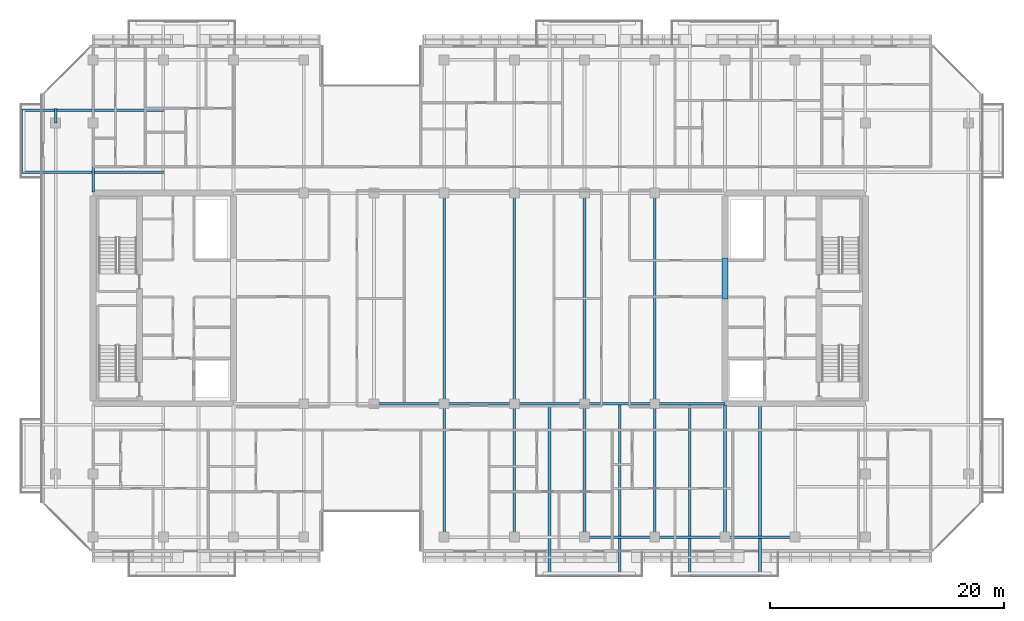
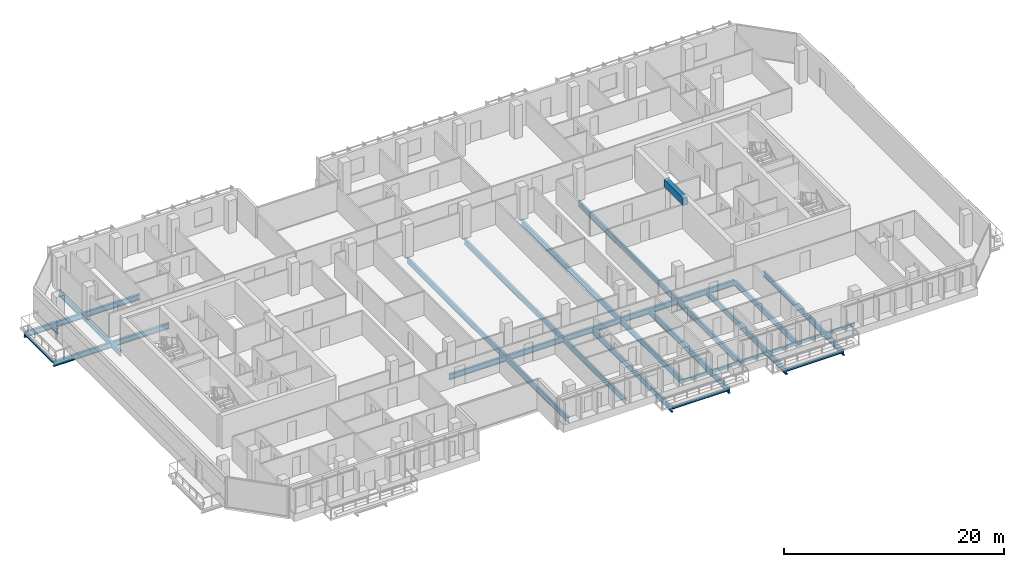
# One storey, part 7 of 30: 29 beams.
"""IFC4 building model written with IfcOpenShell, lengths in metres."""

from ifc_helpers import new_model, si_unit, direction, frame, origin, origin_2d, place, context, subcontext, project, spatial, rectangle, hollow_rectangle, i_section, extrude, material, material_profile, profile_set, type_object, element, save


model = new_model("IFC4")

# Units and contexts
model_context = context("Model", 3, precision=1e-05, world=origin(), true_north=direction((0.0, 1.0)))
body_context = subcontext(model_context, "Body", "Model", "MODEL_VIEW")
ifc_project = project(units=[si_unit("LENGTHUNIT", "METRE"), si_unit("AREAUNIT", "SQUARE_METRE"), si_unit("VOLUMEUNIT", "CUBIC_METRE"), si_unit("PLANEANGLEUNIT", "RADIAN"), si_unit("MASSUNIT", "GRAM", prefix="KILO")], contexts=[model_context])

# Site, building, storey
site_placement = place(None, origin())
site = spatial("IfcSite", under=ifc_project, at=site_placement, CompositionType="ELEMENT")
building_placement = place(site_placement, origin())
building = spatial("IfcBuilding", under=site, at=building_placement, Name="Tanjung Sevakor Pilgrim Tower", CompositionType="ELEMENT")
storey_placement = place(building_placement, frame((0.0, 0.0, 165.659912109375)))
storey = spatial("IfcBuildingStorey", under=building, at=storey_placement, Name="L46", CompositionType="ELEMENT", Elevation=165.659912109375)

# Beams
ifc_material_1 = material(Name="Steel S355J2", Category="steel")
ifc_material_profile_1 = material_profile(ifc_material_1, i_section(OverallWidth=0.230224609375, OverallDepth=0.6171875, WebThickness=0.01318359375, FlangeThickness=0.022216796875, FilletRadius=0.0126953125, at=origin_2d()))
ifc_profile_set_1 = profile_set([ifc_material_profile_1], Name="Steel S355J2")
beam_type_1 = type_object("IfcBeamType", Name="BM-B-G3-UB_610x229x140", PredefinedType="BEAM", material=ifc_profile_set_1)
for number, where, z_axis, x_axis, name in (
    (1, (48.0, 24.60009765625, -0.528564453125), (1.0, 0.0, 0.0), (0.0, 1.0, 0.0), "L46 Primary Floor Girder MAIN Y246-03"),
    (2, (54.0, 24.60009765625, -0.528564453125), (1.0, 0.0, 0.0), (0.0, 1.0, 0.0), "L46 Primary Floor Girder MAIN Y246-04"),
    (3, (60.0, 24.60009765625, -0.528564453125), (1.0, 0.0, 0.0), (0.0, 1.0, 0.0), "L46 Primary Floor Girder MAIN Y246-05"),
    (4, (66.0, 24.60009765625, -0.528564453125), (1.0, 0.0, 0.0), (0.0, 1.0, 0.0), "L46 Primary Floor Girder MAIN Y246-06"),
    (5, (72.0, 24.60009765625, -0.528564453125), (1.0, 0.0, 0.0), (0.0, 1.0, 0.0), "L46 Primary Floor Girder MAIN Y246-07"),
):
    element("IfcBeam", number, at=place(storey_placement, frame(where, z_axis=z_axis, x_axis=x_axis)), inside=storey, type_object=beam_type_1, Name=name, PredefinedType="BEAM", context=body_context, shape_type="SweptSolid", body=[
        extrude(i_section(OverallWidth=0.230224609375, OverallDepth=0.6171875, WebThickness=0.01318359375, FlangeThickness=0.022216796875, FilletRadius=0.0126953125, at=origin_2d()), origin(), (0.0, 0.0, 1.0), 6.0),
    ])
ifc_material_2 = material(Name="Steel S355J2", Category="steel")
ifc_material_profile_2 = material_profile(ifc_material_2, i_section(OverallWidth=0.22900390625, OverallDepth=0.6123046875, WebThickness=0.011962890625, FlangeThickness=0.01953125, FilletRadius=0.0126953125, at=origin_2d()))
ifc_profile_set_2 = profile_set([ifc_material_profile_2], Name="Steel S355J2")
beam_type_2 = type_object("IfcBeamType", Name="BM-B-G4-UB_610x229x125", PredefinedType="BEAM", material=ifc_profile_set_2)
beam_1_placement = place(storey_placement, frame((20.800048828125, 48.60009765625, -0.526123046875), z_axis=(0.0, 1.0, 0.0), x_axis=(-1.0, 0.0, 0.0)))
element("IfcBeam", 6, at=beam_1_placement, inside=storey, type_object=beam_type_2, Name="L46 Short-End Edge Extension N-W", PredefinedType="BEAM", context=body_context, shape_type="SweptSolid", body=[
    extrude(i_section(OverallWidth=0.22900390625, OverallDepth=0.6123046875, WebThickness=0.011962890625, FlangeThickness=0.01953125, FilletRadius=0.0126953125, at=origin_2d()), origin(), (0.0, 0.0, 1.0), 1.25),
])
for number, where, z_axis, x_axis, name in (
    (7, (30.0, 44.39990234375, -0.526123046875), (-1.0, 0.0, 0.0), (0.0, -1.0, 0.0), "L46 Balcony Overhanging Beam MAIN-W2-1"),
    (8, (30.0, 49.699951171875, -0.526123046875), (-1.0, 0.0, 0.0), (0.0, -1.0, 0.0), "L46 Balcony Overhanging Beam MAIN-W2-2"),
):
    element("IfcBeam", number, at=place(storey_placement, frame(where, z_axis=z_axis, x_axis=x_axis)), inside=storey, type_object=beam_type_2, Name=name, PredefinedType="BEAM", context=body_context, shape_type="SweptSolid", body=[
        extrude(i_section(OverallWidth=0.22900390625, OverallDepth=0.6123046875, WebThickness=0.011962890625, FlangeThickness=0.01953125, FilletRadius=0.0126953125, at=origin_2d()), origin(), (0.0, 0.0, 1.0), 12.1298828125),
    ])
beam_2_placement = place(storey_placement, frame((24.0, 42.715087890625, -0.526123046875), z_axis=(0.0, 1.0, 0.0), x_axis=(-1.0, 0.0, 0.0)))
element("IfcBeam", 9, at=beam_2_placement, inside=storey, type_object=beam_type_2, Name="L46 MAIN Girder 002", PredefinedType="BEAM", context=body_context, shape_type="SweptSolid", body=[
    extrude(i_section(OverallWidth=0.22900390625, OverallDepth=0.6123046875, WebThickness=0.011962890625, FlangeThickness=0.01953125, FilletRadius=0.0126953125, at=origin_2d()), origin(), (0.0, 0.0, 1.0), 11.284912109375),
])
beam_3_placement = place(storey_placement, frame((54.0, 13.199951171875, -0.526123046875), z_axis=(0.0, 1.0, 0.0), x_axis=(-1.0, 0.0, 0.0)))
element("IfcBeam", 10, at=beam_3_placement, inside=storey, type_object=beam_type_2, Name="L46 MAIN Girder 009", PredefinedType="BEAM", context=body_context, shape_type="SweptSolid", body=[
    extrude(i_section(OverallWidth=0.22900390625, OverallDepth=0.6123046875, WebThickness=0.011962890625, FlangeThickness=0.01953125, FilletRadius=0.0126953125, at=origin_2d()), origin(), (0.0, 0.0, 1.0), 11.400146484375),
])
beam_4_placement = place(storey_placement, frame((54.0, 24.60009765625, -0.526123046875), z_axis=(0.0, 1.0, 0.0), x_axis=(-1.0, 0.0, 0.0)))
element("IfcBeam", 11, at=beam_4_placement, inside=storey, type_object=beam_type_2, Name="L46 MAIN Girder 010", PredefinedType="BEAM", context=body_context, shape_type="SweptSolid", body=[
    extrude(i_section(OverallWidth=0.22900390625, OverallDepth=0.6123046875, WebThickness=0.011962890625, FlangeThickness=0.01953125, FilletRadius=0.0126953125, at=origin_2d()), origin(), (0.0, 0.0, 1.0), 18.0),
])
beam_5_placement = place(storey_placement, frame((60.0, 13.199951171875, -0.526123046875), z_axis=(0.0, 1.0, 0.0), x_axis=(-1.0, 0.0, 0.0)))
element("IfcBeam", 12, at=beam_5_placement, inside=storey, type_object=beam_type_2, Name="L46 MAIN Girder 012", PredefinedType="BEAM", context=body_context, shape_type="SweptSolid", body=[
    extrude(i_section(OverallWidth=0.22900390625, OverallDepth=0.6123046875, WebThickness=0.011962890625, FlangeThickness=0.01953125, FilletRadius=0.0126953125, at=origin_2d()), origin(), (0.0, 0.0, 1.0), 11.400146484375),
])
beam_6_placement = place(storey_placement, frame((60.0, 24.60009765625, -0.526123046875), z_axis=(0.0, 1.0, 0.0), x_axis=(-1.0, 0.0, 0.0)))
element("IfcBeam", 13, at=beam_6_placement, inside=storey, type_object=beam_type_2, Name="L46 MAIN Girder 013", PredefinedType="BEAM", context=body_context, shape_type="SweptSolid", body=[
    extrude(i_section(OverallWidth=0.22900390625, OverallDepth=0.6123046875, WebThickness=0.011962890625, FlangeThickness=0.01953125, FilletRadius=0.0126953125, at=origin_2d()), origin(), (0.0, 0.0, 1.0), 18.0),
])
beam_7_placement = place(storey_placement, frame((63.0, 24.48486328125, -0.526123046875), z_axis=(0.0, -1.0, 0.0), x_axis=(1.0, 0.0, 0.0)))
element("IfcBeam", 14, at=beam_7_placement, inside=storey, type_object=beam_type_2, Name="L46 Balcony Cantilever Beam MAIN-S2-1", PredefinedType="BEAM", context=body_context, shape_type="SweptSolid", body=[
    extrude(i_section(OverallWidth=0.22900390625, OverallDepth=0.6123046875, WebThickness=0.011962890625, FlangeThickness=0.01953125, FilletRadius=0.0126953125, at=origin_2d()), origin(), (0.0, 0.0, 1.0), 14.56494140625),
])
beam_8_placement = place(storey_placement, frame((66.0, 13.199951171875, -0.526123046875), z_axis=(0.0, 1.0, 0.0), x_axis=(-1.0, 0.0, 0.0)))
element("IfcBeam", 15, at=beam_8_placement, inside=storey, type_object=beam_type_2, Name="L46 MAIN Girder 015", PredefinedType="BEAM", context=body_context, shape_type="SweptSolid", body=[
    extrude(i_section(OverallWidth=0.22900390625, OverallDepth=0.6123046875, WebThickness=0.011962890625, FlangeThickness=0.01953125, FilletRadius=0.0126953125, at=origin_2d()), origin(), (0.0, 0.0, 1.0), 11.400146484375),
])
beam_9_placement = place(storey_placement, frame((66.0, 24.60009765625, -0.526123046875), z_axis=(0.0, 1.0, 0.0), x_axis=(-1.0, 0.0, 0.0)))
element("IfcBeam", 16, at=beam_9_placement, inside=storey, type_object=beam_type_2, Name="L46 MAIN Girder 016", PredefinedType="BEAM", context=body_context, shape_type="SweptSolid", body=[
    extrude(i_section(OverallWidth=0.22900390625, OverallDepth=0.6123046875, WebThickness=0.011962890625, FlangeThickness=0.01953125, FilletRadius=0.0126953125, at=origin_2d()), origin(), (0.0, 0.0, 1.0), 18.0),
])
beam_10_placement = place(storey_placement, frame((69.0, 24.48486328125, -0.526123046875), z_axis=(0.0, -1.0, 0.0), x_axis=(1.0, 0.0, 0.0)))
element("IfcBeam", 17, at=beam_10_placement, inside=storey, type_object=beam_type_2, Name="L46 Balcony Cantilever Beam MAIN-S2-2", PredefinedType="BEAM", context=body_context, shape_type="SweptSolid", body=[
    extrude(i_section(OverallWidth=0.22900390625, OverallDepth=0.6123046875, WebThickness=0.011962890625, FlangeThickness=0.01953125, FilletRadius=0.0126953125, at=origin_2d()), origin(), (0.0, 0.0, 1.0), 14.56494140625),
])
beam_11_placement = place(storey_placement, frame((72.0, 13.199951171875, -0.526123046875), z_axis=(0.0, 1.0, 0.0), x_axis=(-1.0, 0.0, 0.0)))
element("IfcBeam", 18, at=beam_11_placement, inside=storey, type_object=beam_type_2, Name="L46 MAIN Girder 018", PredefinedType="BEAM", context=body_context, shape_type="SweptSolid", body=[
    extrude(i_section(OverallWidth=0.22900390625, OverallDepth=0.6123046875, WebThickness=0.011962890625, FlangeThickness=0.01953125, FilletRadius=0.0126953125, at=origin_2d()), origin(), (0.0, 0.0, 1.0), 11.400146484375),
])
beam_12_placement = place(storey_placement, frame((72.0, 24.60009765625, -0.526123046875), z_axis=(0.0, 1.0, 0.0), x_axis=(-1.0, 0.0, 0.0)))
element("IfcBeam", 19, at=beam_12_placement, inside=storey, type_object=beam_type_2, Name="L46 MAIN Girder 019", PredefinedType="BEAM", context=body_context, shape_type="SweptSolid", body=[
    extrude(i_section(OverallWidth=0.22900390625, OverallDepth=0.6123046875, WebThickness=0.011962890625, FlangeThickness=0.01953125, FilletRadius=0.0126953125, at=origin_2d()), origin(), (0.0, 0.0, 1.0), 18.0),
])
beam_13_placement = place(storey_placement, frame((75.0, 24.48486328125, -0.526123046875), z_axis=(0.0, -1.0, 0.0), x_axis=(1.0, 0.0, 0.0)))
element("IfcBeam", 20, at=beam_13_placement, inside=storey, type_object=beam_type_2, Name="L46 Balcony Cantilever Beam MAIN-S3-1", PredefinedType="BEAM", context=body_context, shape_type="SweptSolid", body=[
    extrude(i_section(OverallWidth=0.22900390625, OverallDepth=0.6123046875, WebThickness=0.011962890625, FlangeThickness=0.01953125, FilletRadius=0.0126953125, at=origin_2d()), origin(), (0.0, 0.0, 1.0), 14.56494140625),
])
beam_14_placement = place(storey_placement, frame((78.0, 13.199951171875, -0.526123046875), z_axis=(0.0, 1.0, 0.0), x_axis=(-1.0, 0.0, 0.0)))
element("IfcBeam", 21, at=beam_14_placement, inside=storey, type_object=beam_type_2, Name="L46 MAIN Girder 021", PredefinedType="BEAM", context=body_context, shape_type="SweptSolid", body=[
    extrude(i_section(OverallWidth=0.22900390625, OverallDepth=0.6123046875, WebThickness=0.011962890625, FlangeThickness=0.01953125, FilletRadius=0.0126953125, at=origin_2d()), origin(), (0.0, 0.0, 1.0), 11.284912109375),
])
beam_15_placement = place(storey_placement, frame((81.0, 24.48486328125, -0.526123046875), z_axis=(0.0, -1.0, 0.0), x_axis=(1.0, 0.0, 0.0)))
element("IfcBeam", 22, at=beam_15_placement, inside=storey, type_object=beam_type_2, Name="L46 Balcony Cantilever Beam MAIN-S3-2", PredefinedType="BEAM", context=body_context, shape_type="SweptSolid", body=[
    extrude(i_section(OverallWidth=0.22900390625, OverallDepth=0.6123046875, WebThickness=0.011962890625, FlangeThickness=0.01953125, FilletRadius=0.0126953125, at=origin_2d()), origin(), (0.0, 0.0, 1.0), 14.56494140625),
])
ifc_material_3 = material(Name="Steel S355J2", Category="steel")
ifc_material_profile_3 = material_profile(ifc_material_3, i_section(OverallWidth=0.146484375, OverallDepth=0.256103515625, WebThickness=0.00634765625, FlangeThickness=0.010986328125, FilletRadius=0.007568359375, at=origin_2d()))
ifc_profile_set_3 = profile_set([ifc_material_profile_3], Name="Steel S355J2")
beam_type_3 = type_object("IfcBeamType", Name="BM-B-J6-UB_254x146x37", PredefinedType="JOIST", material=ifc_profile_set_3)
for number, where, z_axis, x_axis, name in (
    (23, (63.0, 9.919921875, -0.327880859375), (1.0, 0.0, 0.0), (0.0, 1.0, 0.0), "L46 Balcony Rim Tie MAIN-S2"),
    (24, (75.0, 9.919921875, -0.327880859375), (1.0, 0.0, 0.0), (0.0, 1.0, 0.0), "L46 Balcony Rim Tie MAIN-S3"),
):
    element("IfcBeam", number, at=place(storey_placement, frame(where, z_axis=z_axis, x_axis=x_axis)), inside=storey, type_object=beam_type_3, Name=name, PredefinedType="JOIST", context=body_context, shape_type="SweptSolid", body=[
        extrude(i_section(OverallWidth=0.146484375, OverallDepth=0.256103515625, WebThickness=0.00634765625, FlangeThickness=0.010986328125, FilletRadius=0.007568359375, at=origin_2d()), origin(), (0.0, 0.0, 1.0), 6.0),
    ])
beam_16_placement = place(storey_placement, frame((17.8701171875, 44.39990234375, -0.327880859375), z_axis=(0.0, 1.0, 0.0), x_axis=(-1.0, 0.0, 0.0)))
element("IfcBeam", 25, at=beam_16_placement, inside=storey, type_object=beam_type_3, Name="L46 Balcony Rim Tie MAIN-W2", PredefinedType="JOIST", context=body_context, shape_type="SweptSolid", body=[
    extrude(i_section(OverallWidth=0.146484375, OverallDepth=0.256103515625, WebThickness=0.00634765625, FlangeThickness=0.010986328125, FilletRadius=0.007568359375, at=origin_2d()), origin(), (0.0, 0.0, 1.0), 5.300048828125),
])
ifc_material_4 = material(Name="Concrete C60/75", Category="concrete")
ifc_material_profile_4 = material_profile(ifc_material_4, rectangle(XDim=0.5, YDim=0.800048828125, at=origin_2d()))
ifc_profile_set_4 = profile_set([ifc_material_profile_4], Name="Concrete C60/75")
beam_type_4 = type_object("IfcBeamType", Name="BM-B-LN2-RC-BM_500x800", PredefinedType="LINTEL", material=ifc_profile_set_4)
beam_17_placement = place(storey_placement, frame((78.0, 33.550048828125, 3.010009765625), z_axis=(0.0, 1.0, 0.0), x_axis=(-1.0, 0.0, 0.0)))
element("IfcBeam", 26, at=beam_17_placement, inside=storey, type_object=beam_type_4, Name="L46 E Core Coupling Lintel", PredefinedType="LINTEL", context=body_context, shape_type="SweptSolid", body=[
    extrude(rectangle(XDim=0.5, YDim=0.800048828125, at=origin_2d()), origin(), (0.0, 0.0, 1.0), 3.5),
])
ifc_material_5 = material(Name="Steel S355J2", Category="steel")
ifc_material_profile_5 = material_profile(ifc_material_5, hollow_rectangle(XDim=0.199951171875, YDim=0.300048828125, WallThickness=0.012451171875, at=origin_2d()))
ifc_profile_set_5 = profile_set([ifc_material_profile_5], Name="Steel S355J2")
beam_type_5 = type_object("IfcBeamType", Name="BM-B-SP3-RHS_300x200x12.5", PredefinedType="SPANDREL", material=ifc_profile_set_5)
for number, where, z_axis, x_axis, name in (
    (27, (66.0, 13.199951171875, -0.369873046875), (1.0, 0.0, 0.0), (0.0, 1.0, 0.0), "L46 Spandrel MAIN S-11"),
    (28, (72.0, 13.199951171875, -0.369873046875), (1.0, 0.0, 0.0), (0.0, 1.0, 0.0), "L46 Spandrel MAIN S-13"),
    (29, (78.0, 13.199951171875, -0.369873046875), (1.0, 0.0, 0.0), (0.0, 1.0, 0.0), "L46 Spandrel MAIN S-15"),
):
    element("IfcBeam", number, at=place(storey_placement, frame(where, z_axis=z_axis, x_axis=x_axis)), inside=storey, type_object=beam_type_5, Name=name, PredefinedType="SPANDREL", context=body_context, shape_type="SweptSolid", body=[
        extrude(hollow_rectangle(XDim=0.199951171875, YDim=0.300048828125, WallThickness=0.012451171875, at=origin_2d()), origin(), (0.0, 0.0, 1.0), 6.0),
    ])

save(model, "model.ifc")
